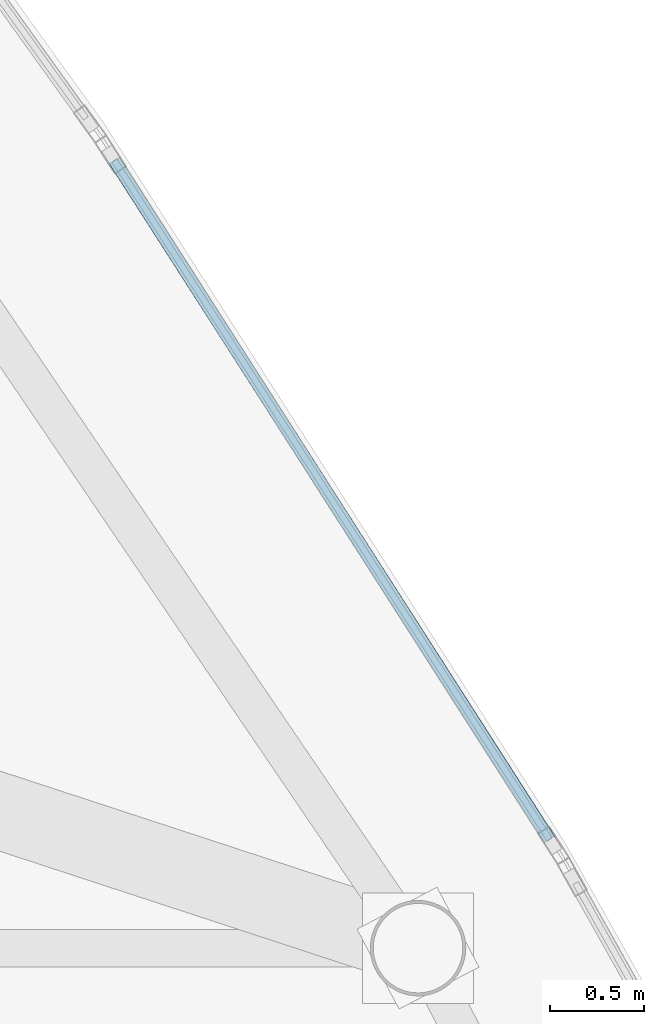
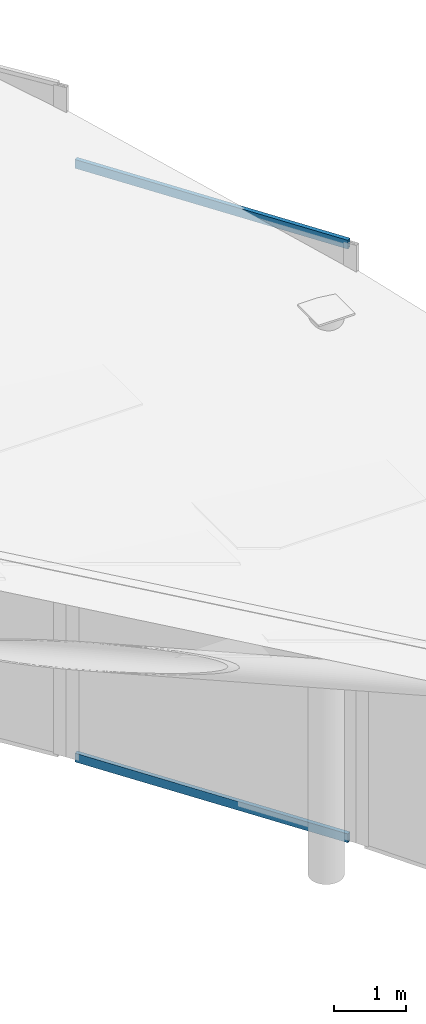
# One storey, part 14 of 21: 2 members, 1 element without a shape of its own.
"""IFC4 building model written with IfcOpenShell, lengths in metres."""

from ifc_helpers import new_model, si_unit, direction, frame, origin, origin_2d, place, context, subcontext, project, spatial, hollow_rectangle, extrude, material, layer, layer_set, material_profile, profile_set, type_object, element, aggregate, save


model = new_model("IFC4")

# Units and contexts
model_context = context("Model", 3, precision=1e-05, world=origin(), true_north=direction((0.0, 1.0)))
body_context = subcontext(model_context, "Body", "Model", "MODEL_VIEW")
ifc_project = project(units=[si_unit("LENGTHUNIT", "METRE"), si_unit("AREAUNIT", "SQUARE_METRE"), si_unit("VOLUMEUNIT", "CUBIC_METRE"), si_unit("PLANEANGLEUNIT", "RADIAN"), si_unit("MASSUNIT", "GRAM", prefix="KILO")], contexts=[model_context])

# Site, building, storey
site_placement = place(None, origin())
site = spatial("IfcSite", under=ifc_project, at=site_placement, CompositionType="ELEMENT")
building_placement = place(site_placement, origin())
building = spatial("IfcBuilding", under=site, at=building_placement, Name="Orvanel Arch Residences", CompositionType="ELEMENT")
storey_placement = place(building_placement, frame((0.0, 0.0, 314.89990234375)))
storey = spatial("IfcBuildingStorey", under=building, at=storey_placement, Name="RF", CompositionType="ELEMENT", Elevation=314.89990234375)

# Curtain wall, members
ifc_material = material(Name="Bronze-anodised aluminium AA6063-T6", Category="aluminium")
ifc_layer = layer(ifc_material, 0.2099609375)
ifc_layer_set = layer_set([ifc_layer], Name="Bronze-anodised aluminium AA6063-T6")
curtain_wall_type = type_object("IfcCurtainWallType", Name="CW7-TOP-SYS", PredefinedType="NOTDEFINED", material=ifc_layer_set)
curtain_wall_placement = place(storey_placement, origin())
curtain_wall = element("IfcCurtainWall", 1, at=curtain_wall_placement, inside=storey, type_object=curtain_wall_type, Name="RF CW7-TOP-SYS Unitised Curtain Wall", PredefinedType="NOTDEFINED")
ifc_material_profile = material_profile(ifc_material, hollow_rectangle(XDim=0.06494140625, YDim=0.14990234375, WallThickness=0.00390625, at=origin_2d()), Name="ALU150x65x4")
ifc_profile_set = profile_set([ifc_material_profile], Name="Bronze-anodised aluminium AA6063-T6")
member_type = type_object("IfcMemberType", Name="TRN-150x65", PredefinedType="USERDEFINED", material=ifc_profile_set)
member_1_placement = place(storey_placement, frame((46.130615234375, 28.21826171875, 0.03271484375), z_axis=(-0.539724060604, 0.841841991353, 0.0), x_axis=(-0.841841991353, -0.539724060604, 0.0)))
member_1 = element("IfcMember", 2, at=member_1_placement, type_object=member_type, Name="CW-S7 transom 1.1", ObjectType="TRANSOM", PredefinedType="USERDEFINED", context=body_context, shape_type="SweptSolid", body=[
    extrude(hollow_rectangle(XDim=0.06494140625, YDim=0.14990234375, WallThickness=0.00390625, at=origin_2d()), origin(), (0.0, 0.0, 1.0), 4.287841796875),
])
member_2_placement = place(storey_placement, frame((46.130615234375, 28.21826171875, 10.148681640625), z_axis=(-0.539724060604, 0.841841991353, 0.0), x_axis=(-0.841841991353, -0.539724060604, 0.0)))
member_2 = element("IfcMember", 3, at=member_2_placement, type_object=member_type, Name="CW-S7 transom 1.2", ObjectType="TRANSOM", PredefinedType="USERDEFINED", context=body_context, shape_type="SweptSolid", body=[
    extrude(hollow_rectangle(XDim=0.06494140625, YDim=0.14990234375, WallThickness=0.00390625, at=origin_2d()), origin(), (0.0, 0.0, 1.0), 4.287841796875),
])
aggregate(curtain_wall, [member_1, member_2])

save(model, "model.ifc")
